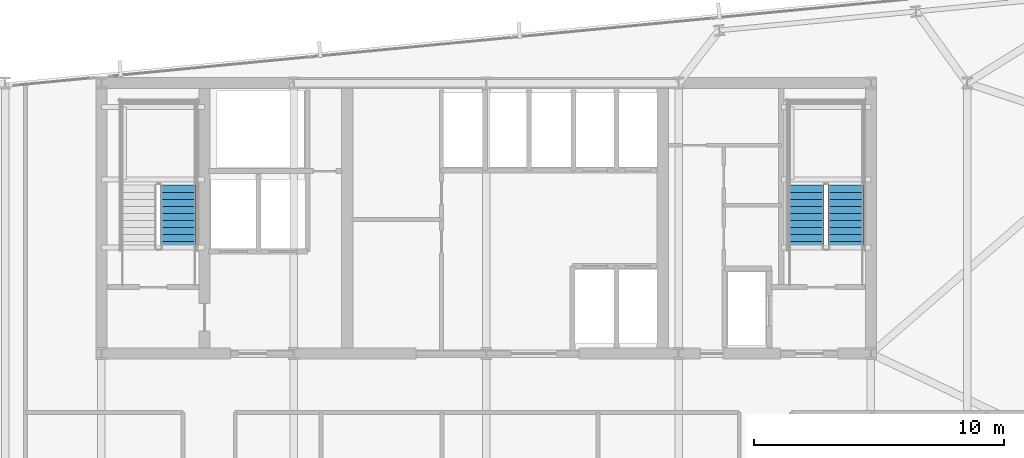
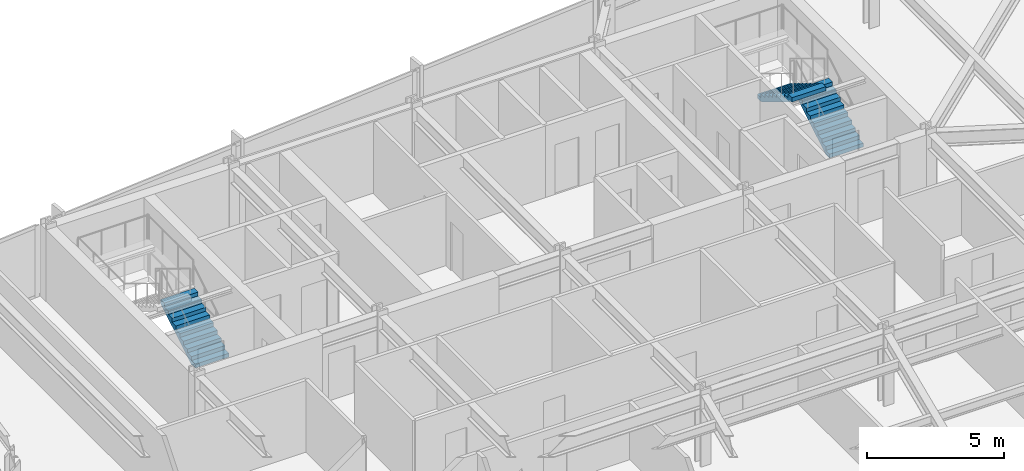
# One storey, part 27 of 33: 3 stair flights, 2 elements without a shape of their own.
"""IFC4 building model written with IfcOpenShell, lengths in metres."""

from ifc_helpers import new_model, si_unit, direction, frame, origin, place, context, subcontext, project, spatial, polyline, outline, extrude, material, type_object, element, aggregate, save


model = new_model("IFC4")

# Units and contexts
model_context = context("Model", 3, precision=1e-05, world=origin(), true_north=direction((0.0, 1.0)))
body_context = subcontext(model_context, "Body", "Model", "MODEL_VIEW")
ifc_project = project(units=[si_unit("LENGTHUNIT", "METRE"), si_unit("AREAUNIT", "SQUARE_METRE"), si_unit("VOLUMEUNIT", "CUBIC_METRE"), si_unit("PLANEANGLEUNIT", "RADIAN"), si_unit("MASSUNIT", "GRAM", prefix="KILO")], contexts=[model_context])

# Site, building, storey
site_placement = place(None, origin())
site = spatial("IfcSite", under=ifc_project, at=site_placement, CompositionType="ELEMENT")
building_placement = place(site_placement, origin())
building = spatial("IfcBuilding", under=site, at=building_placement, Name="Yelkora Congress Tower", CompositionType="ELEMENT")
storey_placement = place(building_placement, frame((0.0, 0.0, 110.10009765625)))
storey = spatial("IfcBuildingStorey", under=building, at=storey_placement, Name="L29", CompositionType="ELEMENT", Elevation=110.10009765625)

# Stair, stair flight
ifc_material = material(Name="Concrete C40/50", Category="concrete")
stair_type = type_object("IfcStairType", Name="STAIR-HT-1420-R20-170", PredefinedType="HALF_TURN_STAIR", material=ifc_material)
stair_1_placement = place(storey_placement, origin())
stair_1 = element("IfcStair", 1, at=stair_1_placement, inside=storey, type_object=stair_type, Name="West Core Protected Exit Stair ST-01 (L29)", PredefinedType="HALF_TURN_STAIR")
stair_flight_type = type_object("IfcStairFlightType", Name="FLIGHT-1420-N10-R170-G280", PredefinedType="STRAIGHT", material=ifc_material)
stair_flight_1_placement = place(storey_placement, frame((26.110107421875, 39.60009765625, 0.0), z_axis=(0.0, 0.0, 1.0), x_axis=(0.0, 1.0, 0.0)))
stair_flight_1 = element("IfcStairFlight", 2, at=stair_flight_1_placement, type_object=stair_flight_type, Name="ST-01 L29 Flight 1", NumberOfRisers=10, NumberOfTreads=9, PredefinedType="STRAIGHT", RiserHeight=0.17, TreadLength=0.28, context=body_context, shape_type="SweptSolid", body=[
    extrude(outline(polyline([(0.0, 0.0), (0.0, 0.169921875), (0.280029296875, 0.169921875), (0.280029296875, 0.340087890625), (0.56005859375, 0.340087890625), (0.56005859375, 0.510009765625), (0.840087890625, 0.510009765625), (0.840087890625, 0.679931640625), (1.1201171875, 0.679931640625), (1.1201171875, 0.85009765625), (1.39990234375, 0.85009765625), (1.39990234375, 1.02001953125), (1.679931640625, 1.02001953125), (1.679931640625, 1.18994140625), (1.9599609375, 1.18994140625), (1.9599609375, 1.360107421875), (2.239990234375, 1.360107421875), (2.239990234375, 1.530029296875), (2.52001953125, 1.530029296875), (2.52001953125, 1.699951171875), (2.52001953125, 1.343017578125), (0.30810546875, 0.0), (0.0, 0.0)])), frame((0.0, 0.7099609375, 0.0), z_axis=(0.0, -1.0, 0.0), x_axis=(1.0, 0.0, 0.0)), (0.0, 0.0, 1.0), 1.419921875),
])
aggregate(stair_1, [stair_flight_1])

# Stair, stair flights
stair_2_placement = place(storey_placement, origin())
stair_2 = element("IfcStair", 3, at=stair_2_placement, inside=storey, type_object=stair_type, Name="East Core Protected Exit Stair ST-02 (L29)", PredefinedType="HALF_TURN_STAIR")
stair_flight_2_placement = place(storey_placement, frame((52.75, 39.60009765625, 0.0), z_axis=(0.0, 0.0, 1.0), x_axis=(0.0, 1.0, 0.0)))
stair_flight_2 = element("IfcStairFlight", 4, at=stair_flight_2_placement, type_object=stair_flight_type, Name="ST-02 L29 Flight 1", NumberOfRisers=10, NumberOfTreads=9, PredefinedType="STRAIGHT", RiserHeight=0.17, TreadLength=0.28, context=body_context, shape_type="SweptSolid", body=[
    extrude(outline(polyline([(0.0, 0.0), (0.0, 0.169921875), (0.280029296875, 0.169921875), (0.280029296875, 0.340087890625), (0.56005859375, 0.340087890625), (0.56005859375, 0.510009765625), (0.840087890625, 0.510009765625), (0.840087890625, 0.679931640625), (1.1201171875, 0.679931640625), (1.1201171875, 0.85009765625), (1.39990234375, 0.85009765625), (1.39990234375, 1.02001953125), (1.679931640625, 1.02001953125), (1.679931640625, 1.18994140625), (1.9599609375, 1.18994140625), (1.9599609375, 1.360107421875), (2.239990234375, 1.360107421875), (2.239990234375, 1.530029296875), (2.52001953125, 1.530029296875), (2.52001953125, 1.699951171875), (2.52001953125, 1.343017578125), (0.30810546875, 0.0), (0.0, 0.0)])), frame((0.0, 0.7099609375, 0.0), z_axis=(0.0, -1.0, 0.0), x_axis=(1.0, 0.0, 0.0)), (0.0, 0.0, 1.0), 1.419921875),
])
stair_flight_3_placement = place(storey_placement, frame((51.169921875, 42.1201171875, 1.699951171875), z_axis=(0.0, 0.0, 1.0), x_axis=(0.0, -1.0, 0.0)))
stair_flight_3 = element("IfcStairFlight", 5, at=stair_flight_3_placement, type_object=stair_flight_type, Name="ST-02 L29 Flight 2", NumberOfRisers=10, NumberOfTreads=9, PredefinedType="STRAIGHT", RiserHeight=0.17, TreadLength=0.28, context=body_context, shape_type="SweptSolid", body=[
    extrude(outline(polyline([(0.0, 0.0), (0.0, 0.169921875), (0.280029296875, 0.169921875), (0.280029296875, 0.340087890625), (0.56005859375, 0.340087890625), (0.56005859375, 0.510009765625), (0.840087890625, 0.510009765625), (0.840087890625, 0.679931640625), (1.1201171875, 0.679931640625), (1.1201171875, 0.85009765625), (1.39990234375, 0.85009765625), (1.39990234375, 1.02001953125), (1.679931640625, 1.02001953125), (1.679931640625, 1.18994140625), (1.9599609375, 1.18994140625), (1.9599609375, 1.360107421875), (2.239990234375, 1.360107421875), (2.239990234375, 1.530029296875), (2.52001953125, 1.530029296875), (2.52001953125, 1.699951171875), (2.52001953125, 1.343017578125), (0.30810546875, 0.0), (0.0, 0.0)])), frame((0.0, 0.7099609375, 0.0), z_axis=(0.0, -1.0, 0.0), x_axis=(1.0, 0.0, 0.0)), (0.0, 0.0, 1.0), 1.419921875),
])
aggregate(stair_2, [stair_flight_2, stair_flight_3])

save(model, "model.ifc")
